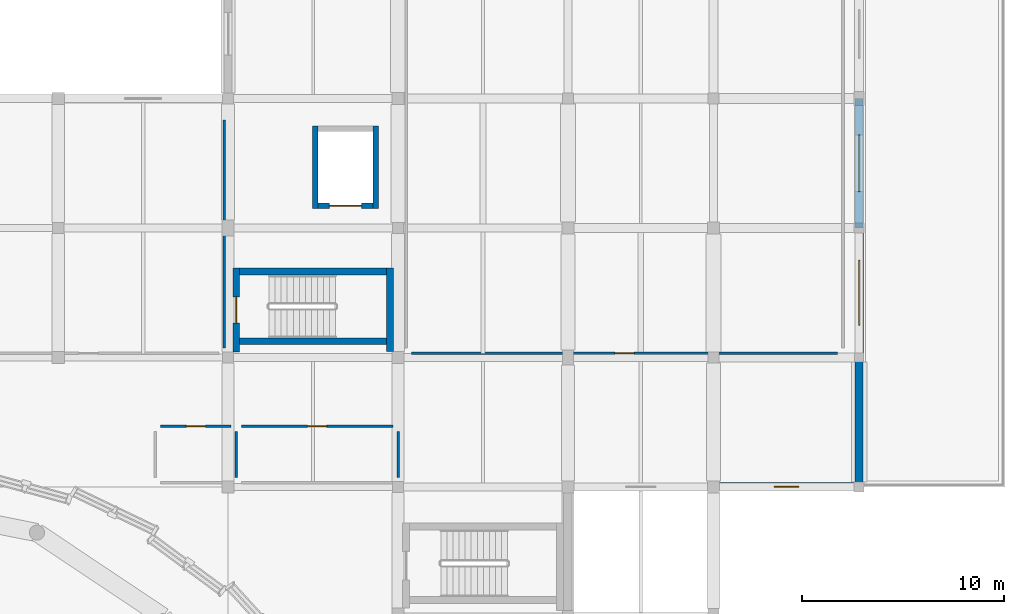
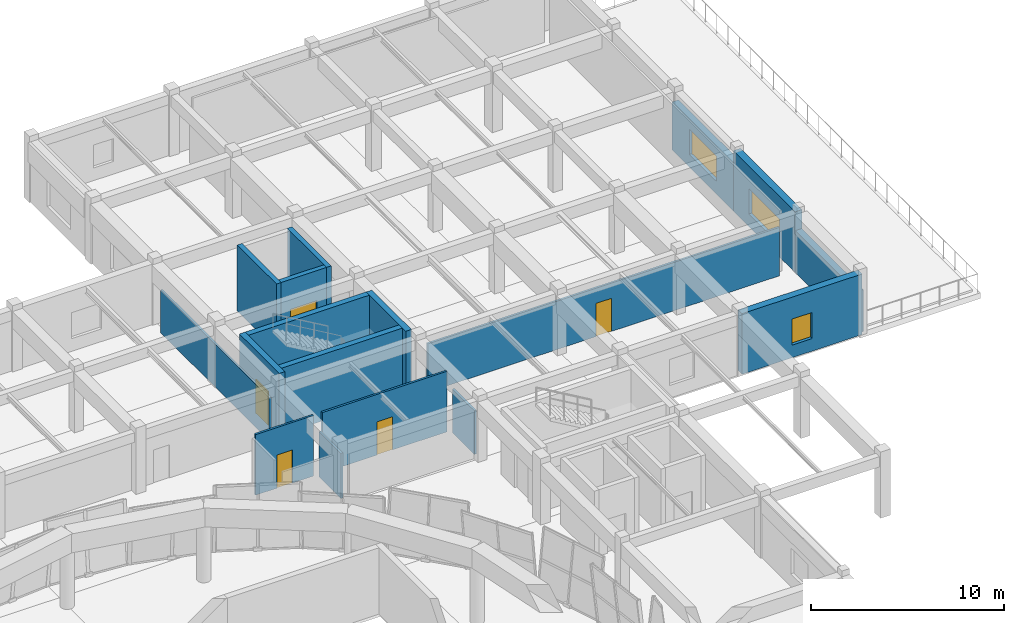
# One storey, part 31 of 40: 17 walls, 5 doors, 3 windows, 8 openings.
"""IFC4 building model written with IfcOpenShell, lengths in metres."""

import ifcopenshell
import ifcopenshell.guid

model = None  # the IFC model being written
_history = None  # IfcOwnerHistory: only IFC2X3 demands one
_inside = {}  # id of a spatial element -> (the spatial element, [elements in it])
_under = {}  # id of a project, library or spatial element -> (it, [spatial elements below it])
_declared = {}  # id of a project -> (the project, [libraries it declares])
_typed = {}  # id of a type object -> (the type object, [elements of that type])
_made_of = {}  # id of a material, layer set ... -> (it, [elements and type objects made of it])


def new_model(schema):
    """Start an empty IFC model of exactly this schema.

    Asked for "IFC4X3", IfcOpenShell would pick the latest addendum, in which some entities
    have other attributes; the version numbers below select the first issue.
    IFC2X3 requires an IfcOwnerHistory on every rooted entity: one is made here for all.
    """
    global model, _history
    if schema == "IFC4X3":
        model = ifcopenshell.file(schema_version=(4, 3, 0, 0))
    else:
        model = ifcopenshell.file(schema=schema)
    _inside.clear()
    _under.clear()
    _declared.clear()
    _typed.clear()
    _made_of.clear()
    _history = None
    if model.schema == "IFC2X3":
        org = make("IfcOrganization", Name="unknown")
        user = make(
            "IfcPersonAndOrganization",
            ThePerson=make("IfcPerson", FamilyName="unknown"),
            TheOrganization=org,
        )
        app = make(
            "IfcApplication",
            ApplicationDeveloper=org,
            Version="unknown",
            ApplicationFullName="unknown",
            ApplicationIdentifier="unknown",
        )
        _history = make(
            "IfcOwnerHistory",
            OwningUser=user,
            OwningApplication=app,
            ChangeAction="ADDED",
            CreationDate=0,
        )
    return model


def make(cls, **values):
    """One entity of the class cls with the attributes given. An attribute that is None is left unset."""
    return model.create_entity(
        cls, **{name: value for name, value in values.items() if value is not None}
    )


def rooted(cls, **values):
    """An entity with a GlobalId (a new one), such as an element, a storey or a relation."""
    return make(cls, GlobalId=ifcopenshell.guid.new(), OwnerHistory=_history, **values)


def si_unit(unit_type, name, prefix=None):
    """IfcSIUnit, for example si_unit("LENGTHUNIT", "METRE", prefix="MILLI")."""
    return make("IfcSIUnit", UnitType=unit_type, Prefix=prefix, Name=name)


def assignment(units):
    """IfcUnitAssignment: the units of a project."""
    return None if units is None else make("IfcUnitAssignment", Units=units)


def point(xyz):
    """IfcCartesianPoint."""
    return None if xyz is None else make("IfcCartesianPoint", Coordinates=xyz)


def direction(xyz):
    """IfcDirection."""
    return None if xyz is None else make("IfcDirection", DirectionRatios=xyz)


def frame(location, z_axis=None, x_axis=None):
    """IfcAxis2Placement3D, a coordinate frame: its origin and axes. An axis left out is left unset."""
    return make(
        "IfcAxis2Placement3D",
        Location=point(location),
        Axis=direction(z_axis),
        RefDirection=direction(x_axis),
    )


def frame_2d(location, x_axis=None):
    """IfcAxis2Placement2D, a coordinate frame in the plane: its origin and x axis."""
    return make(
        "IfcAxis2Placement2D", Location=point(location), RefDirection=direction(x_axis)
    )


def origin():
    """The frame at (0, 0, 0) with its axes left unset."""
    return frame((0.0, 0.0, 0.0))


def place(relative_to, where):
    """IfcLocalPlacement: puts the frame where relative to a parent placement (None: the world)."""
    return make(
        "IfcLocalPlacement", PlacementRelTo=relative_to, RelativePlacement=where
    )


def context(
    kind, dimensions, precision=None, world=None, true_north=None, identifier=None
):
    """IfcGeometricRepresentationContext, for example the 3D "Model" context."""
    return make(
        "IfcGeometricRepresentationContext",
        ContextIdentifier=identifier,
        ContextType=kind,
        CoordinateSpaceDimension=dimensions,
        Precision=precision,
        WorldCoordinateSystem=world,
        TrueNorth=true_north,
    )


def subcontext(parent, identifier, kind, view, scale=None):
    """IfcGeometricRepresentationSubContext, for example "Body" below "Model"."""
    return make(
        "IfcGeometricRepresentationSubContext",
        ContextIdentifier=identifier,
        ContextType=kind,
        ParentContext=parent,
        TargetScale=scale,
        TargetView=view,
    )


def project(units=None, contexts=None):
    """IfcProject with its units and contexts."""
    return rooted(
        "IfcProject",
        Name="project",
        RepresentationContexts=contexts,
        UnitsInContext=assignment(units),
    )


def spatial(cls, under=None, at=None, **own):
    """A site, building, storey or space (cls), placed at a placement, below another one or the project."""
    s = rooted(cls, ObjectPlacement=at, **own)
    if under is not None:
        _under.setdefault(under.id(), (under, []))[1].append(s)
    return s


def profile(cls, at=None, kind="AREA", **sizes):
    """A parametric profile (cls). Its sizes go by their IFC names, for example OverallWidth=200.0."""
    return make(cls, ProfileType=kind, Position=at, **sizes)


def rectangle(**sizes):
    """IfcRectangleProfileDef."""
    return profile("IfcRectangleProfileDef", **sizes)


def extrude(swept, where, along, depth):
    """IfcExtrudedAreaSolid: the profile swept, set in the frame where, extruded along a direction by depth."""
    return make(
        "IfcExtrudedAreaSolid",
        SweptArea=swept,
        Position=where,
        ExtrudedDirection=direction(along),
        Depth=depth,
    )


def shape(context_of_items, identifier, shape_type, items):
    """IfcShapeRepresentation: the items that make up one representation, for example the "Body"."""
    return make(
        "IfcShapeRepresentation",
        ContextOfItems=context_of_items,
        RepresentationIdentifier=identifier,
        RepresentationType=shape_type,
        Items=items,
    )


def material(Name=None, Category=None):
    """IfcMaterial."""
    return make("IfcMaterial", Name=Name, Category=Category)


def layer(
    of_material, thickness, ventilated=None, Name=None, Category=None, Priority=None
):
    """IfcMaterialLayer: one layer of a wall or slab, of a material (None: an air gap)."""
    return make(
        "IfcMaterialLayer",
        Material=of_material,
        LayerThickness=thickness,
        IsVentilated=ventilated,
        Name=Name,
        Category=Category,
        Priority=Priority,
    )


def layer_set(layers, Name=None):
    """IfcMaterialLayerSet."""
    return make("IfcMaterialLayerSet", MaterialLayers=layers, LayerSetName=Name)


def made_of(thing, what):
    """Note that an element or type object is made of a material, layer set ...; save() writes the relation."""
    if what is not None:
        _made_of.setdefault(what.id(), (what, []))[1].append(thing)
    return thing


def type_object(cls, material=None, **own):
    """A type object (cls), such as IfcWallType, which elements share."""
    return made_of(rooted(cls, **own), material)


def element(
    cls,
    number,
    at=None,
    inside=None,
    cuts=None,
    type_object=None,
    material=None,
    context=None,
    identifier="Body",
    shape_type=None,
    held_by="IfcProductDefinitionShape",
    body=None,
    shapes=None,
    **own,
):
    """One element of the class cls, such as IfcWall. Its Tag is "e" and its number.

    at: its placement. inside: the storey or other place that contains it. cuts: it is an
    opening in that element (IfcRelVoidsElement). A single representation is given by context,
    identifier, shape_type and body (its items); several are given by shapes. held_by: the class
    of the entity that holds the representations. save() writes the other relations.
    """
    e = rooted(cls, Tag="e%d" % number, ObjectPlacement=at, **own)
    if body is not None:
        shapes = [shape(context, identifier, shape_type, body)]
    if shapes is not None:
        e.Representation = make(held_by, Representations=shapes)
    if inside is not None:
        _inside.setdefault(inside.id(), (inside, []))[1].append(e)
    if cuts is not None:
        rooted(
            "IfcRelVoidsElement", RelatingBuildingElement=cuts, RelatedOpeningElement=e
        )
    if type_object is not None:
        _typed.setdefault(type_object.id(), (type_object, []))[1].append(e)
    return made_of(e, material)


def fill(opening, filler):
    """IfcRelFillsElement: the door or window that sits in an opening."""
    return rooted(
        "IfcRelFillsElement",
        RelatingOpeningElement=opening,
        RelatedBuildingElement=filler,
    )


def aggregate(whole, parts):
    """IfcRelAggregates: a whole, such as a stair, and the parts it consists of."""
    return rooted("IfcRelAggregates", RelatingObject=whole, RelatedObjects=parts)


def save(model, path):
    """Write the relations noted so far, then the file.

    IfcRelAggregates (storeys below a building ...), IfcRelContainedInSpatialStructure (elements
    in a storey), IfcRelDefinesByType, IfcRelAssociatesMaterial and IfcRelDeclares: one each for
    every whole, place, type object, material and project.
    """
    for whole, parts in _under.values():
        aggregate(whole, parts)
    for where, things in _inside.values():
        rooted(
            "IfcRelContainedInSpatialStructure",
            RelatedElements=things,
            RelatingStructure=where,
        )
    for kind, things in _typed.values():
        rooted("IfcRelDefinesByType", RelatedObjects=things, RelatingType=kind)
    for what, things in _made_of.values():
        rooted("IfcRelAssociatesMaterial", RelatedObjects=things, RelatingMaterial=what)
    for by, libraries in _declared.values():
        rooted("IfcRelDeclares", RelatingContext=by, RelatedDefinitions=libraries)
    model.write(path)


model = new_model("IFC4")

# Units and contexts
model_context = context("Model", 3, precision=1e-05, world=origin(), true_north=direction((0.0, 1.0)))
body_context = subcontext(model_context, "Body", "Model", "MODEL_VIEW")
ifc_project = project(units=[si_unit("LENGTHUNIT", "METRE"), si_unit("AREAUNIT", "SQUARE_METRE"), si_unit("VOLUMEUNIT", "CUBIC_METRE"), si_unit("PLANEANGLEUNIT", "RADIAN"), si_unit("MASSUNIT", "GRAM", prefix="KILO")], contexts=[model_context])

# Site, building, storey
site_placement = place(None, origin())
site = spatial("IfcSite", under=ifc_project, at=site_placement, CompositionType="ELEMENT")
building_placement = place(site_placement, origin())
building = spatial("IfcBuilding", under=site, at=building_placement, Name="Korsvaeld Concert Hall", CompositionType="ELEMENT")
storey_placement = place(building_placement, frame((0.0, 0.0, 13.199951171875)))
storey = spatial("IfcBuildingStorey", under=building, at=storey_placement, Name="L03", CompositionType="ELEMENT", Elevation=13.199951171875)

# Walls
ifc_material_1 = material(Name="Concrete C40/50", Category="concrete")
ifc_layer_1 = layer(ifc_material_1, 0.340087890625)
ifc_layer_set_1 = layer_set([ifc_layer_1], Name="Concrete C40/50")
wall_type_1 = type_object("IfcWallType", Name="WL-CORE-340", PredefinedType="SHEAR", material=ifc_layer_set_1)
wall_1_placement = place(storey_placement, frame((101.3701171875, 90.39990234375, 0.0), z_axis=(0.0, 0.0, 1.0), x_axis=(1.0, 0.0, 0.0)))
element("IfcWall", 1, at=wall_1_placement, inside=storey, type_object=wall_type_1, Name="Core K6 shear wall L03 S", PredefinedType="SHEAR", context=body_context, shape_type="SweptSolid", body=[
    extrude(rectangle(XDim=7.259765625, YDim=0.340087890625, at=frame_2d((3.6298828125, 0.0))), origin(), (0.0, 0.0, 1.0), 4.199951171875),
])
wall_2_placement = place(storey_placement, frame((108.800048828125, 89.89990234375, 0.0), z_axis=(0.0, 0.0, 1.0), x_axis=(0.0, 1.0, 0.0)))
element("IfcWall", 2, at=wall_2_placement, inside=storey, type_object=wall_type_1, Name="Core K6 shear wall L03 E", PredefinedType="SHEAR", context=body_context, shape_type="SweptSolid", body=[
    extrude(rectangle(XDim=4.110107421875, YDim=0.340087890625, at=frame_2d((2.05517578125, 0.0))), origin(), (0.0, 0.0, 1.0), 4.199951171875),
])
wall_3_placement = place(storey_placement, frame((108.6298828125, 93.840087890625, 0.0), z_axis=(0.0, 0.0, 1.0), x_axis=(-1.0, 0.0, 0.0)))
element("IfcWall", 3, at=wall_3_placement, inside=storey, type_object=wall_type_1, Name="Core K6 shear wall L03 N", PredefinedType="SHEAR", context=body_context, shape_type="SweptSolid", body=[
    extrude(rectangle(XDim=7.259765625, YDim=0.340087890625, at=frame_2d((3.6298828125, 0.0))), origin(), (0.0, 0.0, 1.0), 4.199951171875),
])

# Wall, opening, door
wall_4_placement = place(storey_placement, frame((101.199951171875, 94.010009765625, 0.0), z_axis=(0.0, 0.0, 1.0), x_axis=(0.0, -1.0, 0.0)))
wall_4 = element("IfcWall", 4, at=wall_4_placement, inside=storey, type_object=wall_type_1, Name="Core K6 shear wall L03 W", PredefinedType="SHEAR", context=body_context, shape_type="SweptSolid", body=[
    extrude(rectangle(XDim=4.135009765625, YDim=0.340087890625, at=frame_2d((2.0673828125, 0.0))), origin(), (0.0, 0.0, 1.0), 4.199951171875),
])
opening_1_placement = place(wall_4_placement, frame((1.41748046875, 0.0, 0.0)))
opening_1 = element("IfcOpeningElement", 5, at=opening_1_placement, cuts=wall_4, Name="Opening FD-01", PredefinedType="OPENING", context=body_context, shape_type="SweptSolid", body=[
    extrude(rectangle(XDim=1.300048828125, YDim=2.14990234375, at=frame_2d((0.64990234375, 1.074951171875))), frame((0.0, 0.18017578125, 0.0), z_axis=(0.0, -1.0, 0.0), x_axis=(1.0, 0.0, 0.0)), (0.0, 0.0, 1.0), 0.360107421875),
])
ifc_material_2 = material(Name="Acoustic steel and oak fire door", Category="steel")
door_type_1 = type_object("IfcDoorType", Name="DR-FD-STAIR-130x215", OperationType="NOTDEFINED", PredefinedType="DOOR", material=ifc_material_2)
door_1_placement = place(opening_1_placement, origin())
door_1 = element("IfcDoor", 6, at=door_1_placement, inside=storey, type_object=door_type_1, Name="Escape stair ST-K6 fire door L03", OperationType="SINGLE_SWING_LEFT", OverallHeight=2.14990234375, OverallWidth=1.300048828125, PredefinedType="DOOR", context=body_context, shape_type="SweptSolid", body=[
    extrude(rectangle(XDim=1.300048828125, YDim=2.14990234375, at=frame_2d((0.64990234375, 1.074951171875))), frame((0.0, 0.02490234375, 0.0), z_axis=(0.0, -1.0, 0.0), x_axis=(1.0, 0.0, 0.0)), (0.0, 0.0, 1.0), 0.050048828125),
])
fill(opening_1, door_1)

# Wall, opening, window
ifc_material_3 = material(Name="Obernkirchener buff sandstone rainscreen on Concrete C35/45", Category="masonry")
ifc_layer_2 = layer(ifc_material_3, 0.389892578125)
ifc_layer_set_2 = layer_set([ifc_layer_2], Name="Obernkirchener buff sandstone rainscreen on Concrete C35/45")
wall_type_2 = type_object("IfcWallType", Name="WL-EXT-BUFF-390", PredefinedType="STANDARD", material=ifc_layer_set_2)
wall_5_placement = place(storey_placement, frame((132.0, 102.39990234375, 0.0), z_axis=(0.0, 0.0, 1.0), x_axis=(0.0, -1.0, 0.0)))
wall_5 = element("IfcWall", 7, at=wall_5_placement, inside=storey, type_object=wall_type_2, Name="Exterior sandstone wall L03-315", PredefinedType="STANDARD", context=body_context, shape_type="SweptSolid", body=[
    extrude(rectangle(XDim=6.39990234375, YDim=0.389892578125, at=frame_2d((3.199951171875, 0.0))), origin(), (0.0, 0.0, 1.0), 3.0400390625),
])
opening_2_placement = place(wall_5_placement, frame((1.800048828125, 0.0, 0.800048828125)))
opening_2 = element("IfcOpeningElement", 8, at=opening_2_placement, cuts=wall_5, Name="Opening WN-14", PredefinedType="OPENING", context=body_context, shape_type="SweptSolid", body=[
    extrude(rectangle(XDim=2.800048828125, YDim=1.60009765625, at=frame_2d((1.39990234375, 0.800048828125))), frame((0.0, 0.205078125, 0.0), z_axis=(0.0, -1.0, 0.0), x_axis=(1.0, 0.0, 0.0)), (0.0, 0.0, 1.0), 0.409912109375),
])
ifc_material_4 = material(Name="Anodised bronze frame with acoustic triple glazing", Category="glass")
window_type_1 = type_object("IfcWindowType", Name="WIN-AC-280x160", PartitioningType="TRIPLE_PANEL_VERTICAL", PredefinedType="WINDOW", material=ifc_material_4)
window_1_placement = place(opening_2_placement, origin())
window_1 = element("IfcWindow", 9, at=window_1_placement, inside=storey, type_object=window_type_1, Name="Acoustic triple-glazed window L03-209", OverallHeight=1.60009765625, OverallWidth=2.800048828125, PartitioningType="TRIPLE_PANEL_VERTICAL", PredefinedType="WINDOW", context=body_context, shape_type="SweptSolid", body=[
    extrude(rectangle(XDim=2.800048828125, YDim=1.60009765625, at=frame_2d((1.39990234375, 0.800048828125))), frame((0.0, 0.030029296875, 0.0), z_axis=(0.0, -1.0, 0.0), x_axis=(1.0, 0.0, 0.0)), (0.0, 0.0, 1.0), 0.06005859375),
])
fill(opening_2, window_1)

# Wall
wall_6_placement = place(storey_placement, frame((132.0, 89.60009765625, 0.0), z_axis=(0.0, 0.0, 1.0), x_axis=(0.0, -1.0, 0.0)))
element("IfcWall", 10, at=wall_6_placement, inside=storey, type_object=wall_type_2, Name="Exterior sandstone wall L03-317", PredefinedType="STANDARD", context=body_context, shape_type="SweptSolid", body=[
    extrude(rectangle(XDim=6.400146484375, YDim=0.389892578125, at=frame_2d((3.2001953125, 0.0))), origin(), (0.0, 0.0, 1.0), 2.64013671875),
])

# Wall, opening, window
ifc_material_5 = material(Name="Bornholm Nexo rose-red sandstone rainscreen on Concrete C35/45", Category="masonry")
ifc_layer_3 = layer(ifc_material_5, 0.419921875)
ifc_layer_set_3 = layer_set([ifc_layer_3], Name="Bornholm Nexo rose-red sandstone rainscreen on Concrete C35/45")
wall_type_3 = type_object("IfcWallType", Name="WL-EXT-NEXO-420", PredefinedType="STANDARD", material=ifc_layer_set_3)
wall_7_placement = place(storey_placement, frame((132.0, 96.0, 0.0), z_axis=(0.0, 0.0, 1.0), x_axis=(0.0, -1.0, 0.0)))
wall_7 = element("IfcWall", 11, at=wall_7_placement, inside=storey, type_object=wall_type_3, Name="Exterior sandstone wall L03-316", PredefinedType="STANDARD", context=body_context, shape_type="SweptSolid", body=[
    extrude(rectangle(XDim=6.39990234375, YDim=0.419921875, at=frame_2d((3.199951171875, 0.0))), origin(), (0.0, 0.0, 1.0), 3.840087890625),
])
opening_3_placement = place(wall_7_placement, frame((1.60009765625, 0.0, 0.800048828125)))
opening_3 = element("IfcOpeningElement", 12, at=opening_3_placement, cuts=wall_7, Name="Opening WN-15", PredefinedType="OPENING", context=body_context, shape_type="SweptSolid", body=[
    extrude(rectangle(XDim=3.199951171875, YDim=1.60009765625, at=frame_2d((1.60009765625, 0.800048828125))), frame((0.0, 0.219970703125, 0.0), z_axis=(0.0, -1.0, 0.0), x_axis=(1.0, 0.0, 0.0)), (0.0, 0.0, 1.0), 0.43994140625),
])
window_type_2 = type_object("IfcWindowType", Name="WIN-AC-320x160", PartitioningType="TRIPLE_PANEL_VERTICAL", PredefinedType="WINDOW", material=ifc_material_4)
window_2_placement = place(opening_3_placement, origin())
window_2 = element("IfcWindow", 13, at=window_2_placement, inside=storey, type_object=window_type_2, Name="Acoustic triple-glazed window L03-210", OverallHeight=1.60009765625, OverallWidth=3.199951171875, PartitioningType="TRIPLE_PANEL_VERTICAL", PredefinedType="WINDOW", context=body_context, shape_type="SweptSolid", body=[
    extrude(rectangle(XDim=3.199951171875, YDim=1.60009765625, at=frame_2d((1.60009765625, 0.800048828125))), frame((0.0, 0.030029296875, 0.0), z_axis=(0.0, -1.0, 0.0), x_axis=(1.0, 0.0, 0.0)), (0.0, 0.0, 1.0), 0.06005859375),
])
fill(opening_3, window_2)

wall_8_placement = place(storey_placement, frame((132.0, 83.199951171875, 0.0), z_axis=(0.0, 0.0, 1.0), x_axis=(-1.0, 0.0, 0.0)))
wall_8 = element("IfcWall", 14, at=wall_8_placement, inside=storey, type_object=wall_type_3, Name="Exterior sandstone wall L03-318", PredefinedType="STANDARD", context=body_context, shape_type="SweptSolid", body=[
    extrude(rectangle(XDim=7.199951171875, YDim=0.419921875, at=frame_2d((3.60009765625, 0.0))), origin(), (0.0, 0.0, 1.0), 3.840087890625),
])
opening_4_placement = place(wall_8_placement, frame((3.0, 0.0, 0.800048828125)))
opening_4 = element("IfcOpeningElement", 15, at=opening_4_placement, cuts=wall_8, Name="Opening WN-01", PredefinedType="OPENING", context=body_context, shape_type="SweptSolid", body=[
    extrude(rectangle(XDim=1.199951171875, YDim=1.64990234375, at=frame_2d((0.60009765625, 0.824951171875))), frame((0.0, 0.219970703125, 0.0), z_axis=(0.0, -1.0, 0.0), x_axis=(1.0, 0.0, 0.0)), (0.0, 0.0, 1.0), 0.43994140625),
])
window_type_3 = type_object("IfcWindowType", Name="WIN-AC-120x165", PartitioningType="SINGLE_PANEL", PredefinedType="WINDOW", material=ifc_material_4)
window_3_placement = place(opening_4_placement, origin())
window_3 = element("IfcWindow", 16, at=window_3_placement, inside=storey, type_object=window_type_3, Name="Acoustic triple-glazed window L03-212", OverallHeight=1.64990234375, OverallWidth=1.199951171875, PartitioningType="SINGLE_PANEL", PredefinedType="WINDOW", context=body_context, shape_type="SweptSolid", body=[
    extrude(rectangle(XDim=1.199951171875, YDim=1.64990234375, at=frame_2d((0.60009765625, 0.824951171875))), frame((0.0, 0.030029296875, 0.0), z_axis=(0.0, -1.0, 0.0), x_axis=(1.0, 0.0, 0.0)), (0.0, 0.0, 1.0), 0.06005859375),
])
fill(opening_4, window_3)

# Wall
ifc_material_6 = material(Name="Insulated acoustic gypsum partition")
ifc_layer_4 = layer(ifc_material_6, 0.125)
ifc_layer_set_4 = layer_set([ifc_layer_4], Name="Insulated acoustic gypsum partition")
wall_type_4 = type_object("IfcWallType", Name="WL-PART-125", PredefinedType="PARTITIONING", material=ifc_layer_set_4)
wall_9_placement = place(storey_placement, frame((100.60009765625, 90.06005859375, 0.0), z_axis=(0.0, 0.0, 1.0), x_axis=(0.0, 1.0, 0.0)))
element("IfcWall", 17, at=wall_9_placement, inside=storey, type_object=wall_type_4, Name="Interior partition L03-09 E", PredefinedType="PARTITIONING", context=body_context, shape_type="SweptSolid", body=[
    extrude(rectangle(XDim=11.280029296875, YDim=0.125, at=frame_2d((5.64013671875, 0.0))), origin(), (0.0, 0.0, 1.0), 2.715087890625),
])

# Wall, opening, door
wall_10_placement = place(storey_placement, frame((109.860107421875, 89.800048828125, 0.0), z_axis=(0.0, 0.0, 1.0), x_axis=(1.0, 0.0, 0.0)))
wall_10 = element("IfcWall", 18, at=wall_10_placement, inside=storey, type_object=wall_type_4, Name="Interior partition L03-10 S", PredefinedType="PARTITIONING", context=body_context, shape_type="SweptSolid", body=[
    extrude(rectangle(XDim=21.079833984375, YDim=0.125, at=frame_2d((10.5400390625, 0.0))), origin(), (0.0, 0.0, 1.0), 3.06494140625),
])
opening_5_placement = place(wall_10_placement, frame((10.06494140625, 0.0, 0.0)))
opening_5 = element("IfcOpeningElement", 19, at=opening_5_placement, cuts=wall_10, Name="Opening ID-04", PredefinedType="OPENING", context=body_context, shape_type="SweptSolid", body=[
    extrude(rectangle(XDim=0.949951171875, YDim=2.10009765625, at=frame_2d((0.47509765625, 1.050048828125))), frame((0.0, 0.072509765625, 0.0), z_axis=(0.0, -1.0, 0.0), x_axis=(1.0, 0.0, 0.0)), (0.0, 0.0, 1.0), 0.14501953125),
])
ifc_material_7 = material(Name="European oak administration door")
door_type_2 = type_object("IfcDoorType", Name="DR-INT-ADM-095x210", OperationType="NOTDEFINED", PredefinedType="DOOR", material=ifc_material_7)
door_2_placement = place(opening_5_placement, origin())
door_2 = element("IfcDoor", 20, at=door_2_placement, inside=storey, type_object=door_type_2, Name="Artistic Administration & Production Suite door L03-10", OperationType="SINGLE_SWING_LEFT", OverallHeight=2.10009765625, OverallWidth=0.949951171875, PredefinedType="DOOR", context=body_context, shape_type="SweptSolid", body=[
    extrude(rectangle(XDim=0.949951171875, YDim=2.10009765625, at=frame_2d((0.47509765625, 1.050048828125))), frame((0.0, 0.02490234375, 0.0), z_axis=(0.0, -1.0, 0.0), x_axis=(1.0, 0.0, 0.0)), (0.0, 0.0, 1.0), 0.050048828125),
])
fill(opening_5, door_2)

# Wall
wall_11_placement = place(storey_placement, frame((109.199951171875, 83.659912109375, 0.0), z_axis=(0.0, 0.0, 1.0), x_axis=(0.0, 1.0, 0.0)))
element("IfcWall", 21, at=wall_11_placement, inside=storey, type_object=wall_type_4, Name="Interior partition L03-15 E", PredefinedType="PARTITIONING", context=body_context, shape_type="SweptSolid", body=[
    extrude(rectangle(XDim=2.280029296875, YDim=0.125, at=frame_2d((1.14013671875, 0.0))), origin(), (0.0, 0.0, 1.0), 2.76513671875),
])

# Wall, opening, door
wall_12_placement = place(storey_placement, frame((108.93994140625, 86.199951171875, 0.0), z_axis=(0.0, 0.0, 1.0), x_axis=(-1.0, 0.0, 0.0)))
wall_12 = element("IfcWall", 22, at=wall_12_placement, inside=storey, type_object=wall_type_4, Name="Interior partition L03-15 N", PredefinedType="PARTITIONING", context=body_context, shape_type="SweptSolid", body=[
    extrude(rectangle(XDim=7.47998046875, YDim=0.125, at=frame_2d((3.739990234375, 0.0))), origin(), (0.0, 0.0, 1.0), 3.840087890625),
])
opening_6_placement = place(wall_12_placement, frame((3.27001953125, 0.0, 0.0)))
opening_6 = element("IfcOpeningElement", 23, at=opening_6_placement, cuts=wall_12, Name="Opening ID-05", PredefinedType="OPENING", context=body_context, shape_type="SweptSolid", body=[
    extrude(rectangle(XDim=0.93994140625, YDim=2.10009765625, at=frame_2d((0.469970703125, 1.050048828125))), frame((0.0, 0.072509765625, 0.0), z_axis=(0.0, -1.0, 0.0), x_axis=(1.0, 0.0, 0.0)), (0.0, 0.0, 1.0), 0.14501953125),
])
ifc_material_8 = material(Name="Accessible washroom oak door")
door_type_3 = type_object("IfcDoorType", Name="DR-INT-WC-094x210", OperationType="NOTDEFINED", PredefinedType="DOOR", material=ifc_material_8)
door_3_placement = place(opening_6_placement, origin())
door_3 = element("IfcDoor", 24, at=door_3_placement, inside=storey, type_object=door_type_3, Name="Public & Staff WC L03 East door L03-15", OperationType="SINGLE_SWING_RIGHT", OverallHeight=2.10009765625, OverallWidth=0.93994140625, PredefinedType="DOOR", context=body_context, shape_type="SweptSolid", body=[
    extrude(rectangle(XDim=0.93994140625, YDim=2.10009765625, at=frame_2d((0.469970703125, 1.050048828125))), frame((0.0, 0.02490234375, 0.0), z_axis=(0.0, -1.0, 0.0), x_axis=(1.0, 0.0, 0.0)), (0.0, 0.0, 1.0), 0.050048828125),
])
fill(opening_6, door_3)

# Wall
wall_13_placement = place(storey_placement, frame((101.199951171875, 85.93994140625, 0.0), z_axis=(0.0, 0.0, 1.0), x_axis=(0.0, -1.0, 0.0)))
element("IfcWall", 25, at=wall_13_placement, inside=storey, type_object=wall_type_4, Name="Interior partition L03-15 W", PredefinedType="PARTITIONING", context=body_context, shape_type="SweptSolid", body=[
    extrude(rectangle(XDim=2.280029296875, YDim=0.125, at=frame_2d((1.14013671875, 0.0))), origin(), (0.0, 0.0, 1.0), 2.864990234375),
])

# Wall, opening, door
wall_14_placement = place(storey_placement, frame((100.93994140625, 86.199951171875, 0.0), z_axis=(0.0, 0.0, 1.0), x_axis=(-1.0, 0.0, 0.0)))
wall_14 = element("IfcWall", 26, at=wall_14_placement, inside=storey, type_object=wall_type_4, Name="Interior partition L03-16 N", PredefinedType="PARTITIONING", context=body_context, shape_type="SweptSolid", body=[
    extrude(rectangle(XDim=3.47998046875, YDim=0.125, at=frame_2d((1.739990234375, 0.0))), origin(), (0.0, 0.0, 1.0), 3.840087890625),
])
opening_7_placement = place(wall_14_placement, frame((1.27001953125, 0.0, 0.0)))
opening_7 = element("IfcOpeningElement", 27, at=opening_7_placement, cuts=wall_14, Name="Opening ID-05", PredefinedType="OPENING", context=body_context, shape_type="SweptSolid", body=[
    extrude(rectangle(XDim=0.93994140625, YDim=2.10009765625, at=frame_2d((0.469970703125, 1.050048828125))), frame((0.0, 0.072509765625, 0.0), z_axis=(0.0, -1.0, 0.0), x_axis=(1.0, 0.0, 0.0)), (0.0, 0.0, 1.0), 0.14501953125),
])
door_4_placement = place(opening_7_placement, origin())
door_4 = element("IfcDoor", 28, at=door_4_placement, inside=storey, type_object=door_type_3, Name="Accessible WC L03 East door L03-16", OperationType="SINGLE_SWING_LEFT", OverallHeight=2.10009765625, OverallWidth=0.93994140625, PredefinedType="DOOR", context=body_context, shape_type="SweptSolid", body=[
    extrude(rectangle(XDim=0.93994140625, YDim=2.10009765625, at=frame_2d((0.469970703125, 1.050048828125))), frame((0.0, 0.02490234375, 0.0), z_axis=(0.0, -1.0, 0.0), x_axis=(1.0, 0.0, 0.0)), (0.0, 0.0, 1.0), 0.050048828125),
])
fill(opening_7, door_4)

ifc_layer_5 = layer(ifc_material_1, 0.280029296875)
ifc_layer_set_5 = layer_set([ifc_layer_5], Name="Concrete C40/50")
wall_type_5 = type_object("IfcWallType", Name="WL-SHAFT-280", PredefinedType="SHEAR", material=ifc_layer_set_5)
wall_15_placement = place(storey_placement, frame((105.239990234375, 97.10009765625, 0.0), z_axis=(0.0, 0.0, 1.0), x_axis=(1.0, 0.0, 0.0)))
wall_15 = element("IfcWall", 29, at=wall_15_placement, inside=storey, type_object=wall_type_5, Name="Lift LG-02 shaft wall L03 S", PredefinedType="SHEAR", context=body_context, shape_type="SweptSolid", body=[
    extrude(rectangle(XDim=2.719970703125, YDim=0.280029296875, at=frame_2d((1.35986328125, 0.0))), origin(), (0.0, 0.0, 1.0), 4.199951171875),
])
opening_8_placement = place(wall_15_placement, frame((0.56005859375, 0.0, 0.0)))
opening_8 = element("IfcOpeningElement", 30, at=opening_8_placement, cuts=wall_15, Name="Opening LD-03", PredefinedType="OPENING", context=body_context, shape_type="SweptSolid", body=[
    extrude(rectangle(XDim=1.60009765625, YDim=2.300048828125, at=frame_2d((0.800048828125, 1.14990234375))), frame((0.0, 0.14990234375, 0.0), z_axis=(0.0, -1.0, 0.0), x_axis=(1.0, 0.0, 0.0)), (0.0, 0.0, 1.0), 0.300048828125),
])
ifc_material_9 = material(Name="Heavy-duty stainless sliding goods lift landing door")
door_type_4 = type_object("IfcDoorType", Name="DR-LD-GOODS-160x230", OperationType="NOTDEFINED", PredefinedType="DOOR", material=ifc_material_9)
door_5_placement = place(opening_8_placement, origin())
door_5 = element("IfcDoor", 31, at=door_5_placement, inside=storey, type_object=door_type_4, Name="Lift landing door LG-02 L03", OperationType="SLIDING_TO_RIGHT", OverallHeight=2.300048828125, OverallWidth=1.60009765625, PredefinedType="DOOR", context=body_context, shape_type="SweptSolid", body=[
    extrude(rectangle(XDim=1.60009765625, YDim=2.300048828125, at=frame_2d((0.800048828125, 1.14990234375))), frame((0.0, 0.02490234375, 0.0), z_axis=(0.0, -1.0, 0.0), x_axis=(1.0, 0.0, 0.0)), (0.0, 0.0, 1.0), 0.050048828125),
])
fill(opening_8, door_5)

# Walls
for number, where, z_axis, x_axis, name in (
    (32, (108.10009765625, 96.9599609375, 0.0), (0.0, 0.0, 1.0), (0.0, 1.0, 0.0), "Lift LG-02 shaft wall L03 E"),
    (33, (105.10009765625, 101.0400390625, 0.0), (0.0, 0.0, 1.0), (0.0, -1.0, 0.0), "Lift LG-02 shaft wall L03 W"),
):
    element("IfcWall", number, at=place(storey_placement, frame(where, z_axis=z_axis, x_axis=x_axis)), inside=storey, type_object=wall_type_5, Name=name, PredefinedType="SHEAR", context=body_context, shape_type="SweptSolid", body=[
        extrude(rectangle(XDim=4.080078125, YDim=0.280029296875, at=frame_2d((2.0400390625, 0.0))), origin(), (0.0, 0.0, 1.0), 4.199951171875),
    ])

save(model, "model.ifc")
